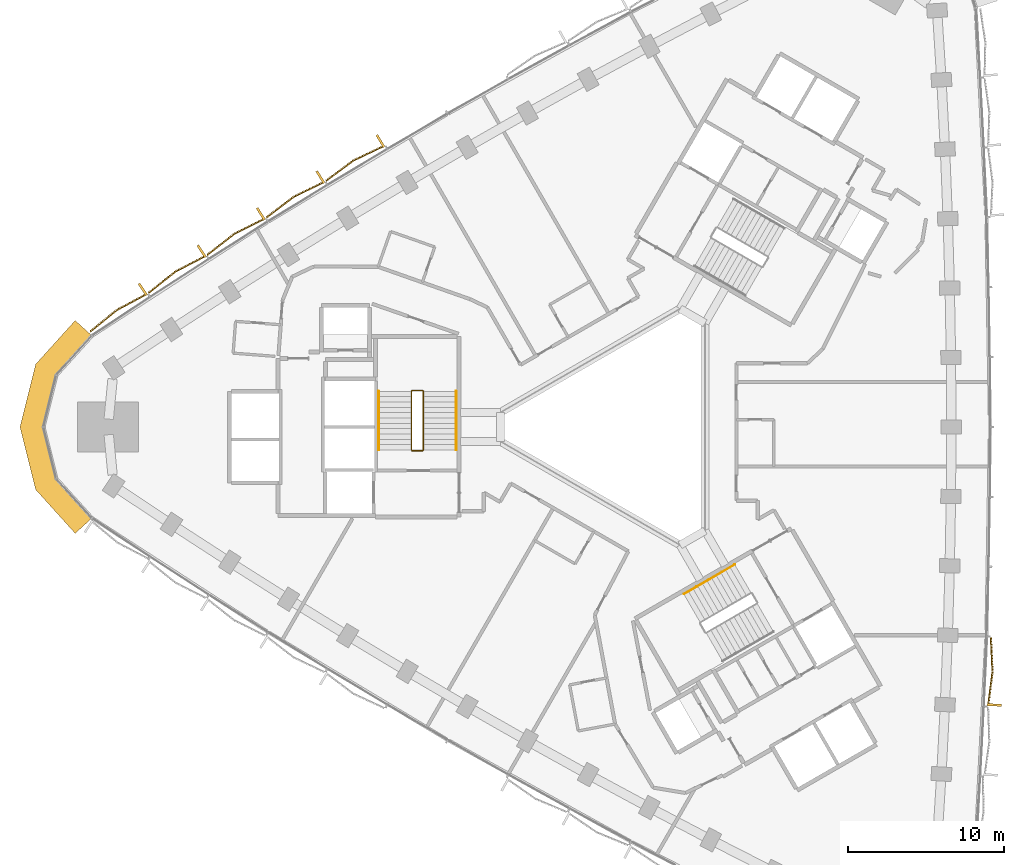
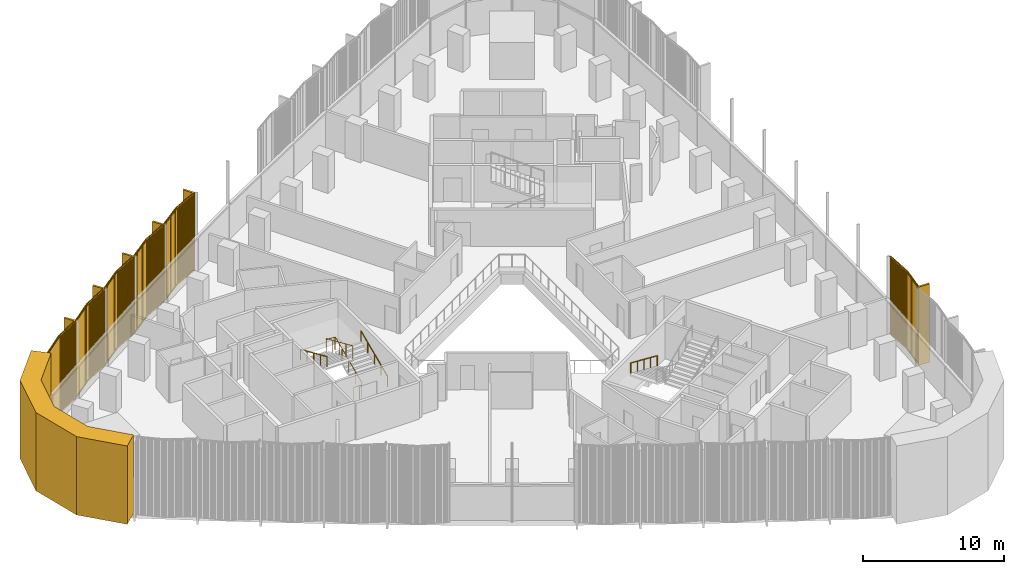
# One storey, part 13 of 15: 7 coverings, 4 railings.
"""IFC4 building model written with IfcOpenShell, lengths in metres."""

from ifc_helpers import new_model, si_unit, direction, frame, frame_2d, origin, origin_2d, place, context, subcontext, project, spatial, polyline, rectangle, circle, outline, extrude, source, transform, mapped, material, layer, layer_set, type_object, element, save


model = new_model("IFC4")

# Units and contexts
model_context = context("Model", 3, precision=1e-05, world=origin(), true_north=direction((0.0, 1.0)))
body_context = subcontext(model_context, "Body", "Model", "MODEL_VIEW")
ifc_project = project(units=[si_unit("LENGTHUNIT", "METRE"), si_unit("AREAUNIT", "SQUARE_METRE"), si_unit("VOLUMEUNIT", "CUBIC_METRE"), si_unit("PLANEANGLEUNIT", "RADIAN"), si_unit("MASSUNIT", "GRAM", prefix="KILO")], contexts=[model_context])

# Site, building, storey
site_placement = place(None, origin())
site = spatial("IfcSite", under=ifc_project, at=site_placement, CompositionType="ELEMENT")
building_placement = place(site_placement, origin())
building = spatial("IfcBuilding", under=site, at=building_placement, Name="Tamra Quay Hotel Tower", CompositionType="ELEMENT")
storey_placement = place(building_placement, frame((0.0, 0.0, 90.199951171875)))
storey = spatial("IfcBuildingStorey", under=building, at=storey_placement, Name="L21", CompositionType="ELEMENT", Elevation=90.199951171875)

# Covering
ifc_material_1 = material(Name="Precast concrete M60 terracotta-coloured", Category="masonry")
ifc_layer = layer(ifc_material_1, 1.449951171875)
ifc_layer_set = layer_set([ifc_layer], Name="CORNER PIER PANEL")
covering_type_1 = type_object("IfcCoveringType", Name="CORNER PIER PANEL", PredefinedType="CLADDING", material=ifc_layer_set)
covering_1_placement = place(storey_placement, origin())
element("IfcCovering", 1, at=covering_1_placement, inside=storey, type_object=covering_type_1, Name="Corner pier L21.north-west", PredefinedType="CLADDING", context=body_context, shape_type="SweptSolid", body=[
    extrude(outline(polyline([(-34.337890625, 5.839599609375), (-35.414306640625, 6.811279296875), (-37.942138671875, 4.01123046875), (-38.944091796875, 0.0), (-37.942138671875, -4.01123046875), (-35.414306640625, -6.811279296875), (-34.337890625, -5.839599609375), (-36.623046875, -3.308349609375), (-37.449462890625, 0.0), (-36.623046875, 3.308349609375), (-34.337890625, 5.839599609375)])), origin(), (0.0, 0.0, 1.0), 6.775146484375),
])

# Railings
ifc_material_2 = material(Name="Stair guard 1100")
railing_type_1 = type_object("IfcRailingType", Name="Stair guard 1100", PredefinedType="GUARDRAIL", material=ifc_material_2)
railing_1_placement = place(storey_placement, frame((-13.84130859375, -1.530029296875, 0.0)))
element("IfcRailing", 2, at=railing_1_placement, inside=storey, type_object=railing_type_1, Name="GR", PredefinedType="GUARDRAIL", context=body_context, shape_type="SweptSolid", body=[
    extrude(circle(Radius=0.02392578125, at=origin_2d()), frame((0.0, 0.0, 1.076171875), z_axis=(1.0, 0.0, 0.0), x_axis=(0.0, 1.0, 0.0)), (0.0, 0.0, 1.0), 0.658935546875),
    extrude(circle(Radius=0.02392578125, at=origin_2d()), frame((0.658935546875, 0.0, 1.076171875), z_axis=(0.301511344578, 0.301511344578, 0.904534033733), x_axis=(-0.707106781187, 0.707106781187, 0.0)), (0.0, 0.0, 1.0), 0.166015625),
    extrude(circle(Radius=0.02392578125, at=origin_2d()), frame((0.708984375, 0.050048828125, 1.22607421875), z_axis=(0.0, 0.915795495799, 0.401644880304), x_axis=(-1.0, 0.0, 0.0)), (0.0, 0.0, 1.0), 4.10791015625),
    extrude(circle(Radius=0.02392578125, at=origin_2d()), frame((0.708984375, 3.81201171875, 2.8759765625), z_axis=(-0.708833529934, 0.705375805398, 0.0), x_axis=(-0.705375805398, -0.708833529934, 0.0)), (0.0, 0.0, 1.0), 0.070556640625),
    extrude(circle(Radius=0.02392578125, at=origin_2d()), frame((0.658935546875, 3.86181640625, 2.8759765625), z_axis=(-1.0, 0.0, 0.0), x_axis=(0.0, -1.0, 0.0)), (0.0, 0.0, 1.0), 0.658935546875),
    extrude(circle(Radius=0.02392578125, at=origin_2d()), frame((0.0, 3.86181640625, 2.8759765625), z_axis=(-0.302046947789, -0.300573548044, 0.904667443621), x_axis=(0.705375805398, -0.708833529934, 0.0)), (0.0, 0.0, 1.0), 0.165771484375),
    extrude(circle(Radius=0.02392578125, at=origin_2d()), frame((-0.050048828125, 3.81201171875, 3.02587890625), z_axis=(0.0, -0.915773634228, 0.401694723457), x_axis=(1.0, 0.0, 0.0)), (0.0, 0.0, 1.0), 4.10791015625),
    extrude(circle(Radius=0.02099609375, at=origin_2d()), origin(), (0.0, 0.0, 1.0), 1.052001953125),
    extrude(circle(Radius=0.02099609375, at=origin_2d()), frame((0.658935546875, 0.0, 0.0)), (0.0, 0.0, 1.0), 1.052001953125),
    extrude(circle(Radius=0.02099609375, at=origin_2d()), frame((0.708984375, 0.050048828125, 0.150146484375)), (0.0, 0.0, 1.0), 1.052001953125),
    extrude(circle(Radius=0.02099609375, at=origin_2d()), frame((0.708984375, 0.990478515625, 0.5625)), (0.0, 0.0, 1.0), 1.052001953125),
    extrude(circle(Radius=0.02099609375, at=origin_2d()), frame((0.708984375, 1.93115234375, 0.97509765625)), (0.0, 0.0, 1.0), 1.052001953125),
    extrude(circle(Radius=0.02099609375, at=origin_2d()), frame((0.708984375, 2.87158203125, 1.3876953125)), (0.0, 0.0, 1.0), 1.052001953125),
    extrude(circle(Radius=0.02099609375, at=origin_2d()), frame((0.708984375, 3.81201171875, 1.800048828125)), (0.0, 0.0, 1.0), 1.052001953125),
    extrude(circle(Radius=0.02099609375, at=origin_2d()), frame((0.658935546875, 3.86181640625, 1.800048828125)), (0.0, 0.0, 1.0), 1.052001953125),
    extrude(circle(Radius=0.02099609375, at=origin_2d()), frame((0.0, 3.86181640625, 1.800048828125)), (0.0, 0.0, 1.0), 1.052001953125),
    extrude(circle(Radius=0.02099609375, at=origin_2d()), frame((-0.050048828125, 3.81201171875, 1.949951171875)), (0.0, 0.0, 1.0), 1.052001953125),
    extrude(circle(Radius=0.02099609375, at=origin_2d()), frame((-0.050048828125, 2.87158203125, 2.362548828125)), (0.0, 0.0, 1.0), 1.052001953125),
    extrude(circle(Radius=0.02099609375, at=origin_2d()), frame((-0.050048828125, 1.93115234375, 2.77490234375)), (0.0, 0.0, 1.0), 1.052001953125),
    extrude(circle(Radius=0.02099609375, at=origin_2d()), frame((-0.050048828125, 0.990478515625, 3.1875)), (0.0, 0.0, 1.0), 1.052001953125),
    extrude(circle(Radius=0.02099609375, at=origin_2d()), frame((-0.050048828125, 0.050048828125, 3.60009765625)), (0.0, 0.0, 1.0), 1.052001953125),
])
ifc_material_3 = material(Name="Stair handrail 900")
railing_type_2 = type_object("IfcRailingType", Name="Stair handrail 900", PredefinedType="HANDRAIL", material=ifc_material_3)
railing_2_placement = place(storey_placement, frame((-11.0322265625, -1.47998046875, 0.150146484375)))
element("IfcRailing", 3, at=railing_2_placement, inside=storey, type_object=railing_type_2, Name="HR", PredefinedType="HANDRAIL", context=body_context, shape_type="SweptSolid", body=[
    extrude(circle(Radius=0.02392578125, at=origin_2d()), frame((0.0, 0.0, 0.8759765625), z_axis=(0.0, 0.915795495799, 0.401644880304), x_axis=(-1.0, 0.0, 0.0)), (0.0, 0.0, 1.0), 4.10791015625),
    extrude(circle(Radius=0.02099609375, at=origin_2d()), origin(), (0.0, 0.0, 1.0), 0.851806640625),
    extrude(circle(Radius=0.02099609375, at=origin_2d()), frame((0.0, 0.9404296875, 0.41259765625)), (0.0, 0.0, 1.0), 0.851806640625),
    extrude(circle(Radius=0.02099609375, at=origin_2d()), frame((0.0, 1.880859375, 0.824951171875)), (0.0, 0.0, 1.0), 0.851806640625),
    extrude(circle(Radius=0.02099609375, at=origin_2d()), frame((0.0, 2.821533203125, 1.2373046875)), (0.0, 0.0, 1.0), 0.851806640625),
    extrude(circle(Radius=0.02099609375, at=origin_2d()), frame((0.0, 3.761962890625, 1.64990234375)), (0.0, 0.0, 1.0), 0.851806640625),
])
railing_3_placement = place(storey_placement, frame((-15.9912109375, 2.281982421875, 1.949951171875)))
element("IfcRailing", 4, at=railing_3_placement, inside=storey, type_object=railing_type_2, Name="HR", PredefinedType="HANDRAIL", context=body_context, shape_type="SweptSolid", body=[
    extrude(circle(Radius=0.02392578125, at=origin_2d()), frame((0.0, 0.0, 0.8759765625), z_axis=(0.0, -0.915773634228, 0.401694723457), x_axis=(1.0, 0.0, 0.0)), (0.0, 0.0, 1.0), 4.10791015625),
    extrude(circle(Radius=0.02099609375, at=origin_2d()), origin(), (0.0, 0.0, 1.0), 0.851806640625),
    extrude(circle(Radius=0.02099609375, at=origin_2d()), frame((0.0, -0.9404296875, 0.41259765625)), (0.0, 0.0, 1.0), 0.851806640625),
    extrude(circle(Radius=0.02099609375, at=origin_2d()), frame((0.0, -1.880859375, 0.8251953125)), (0.0, 0.0, 1.0), 0.851806640625),
    extrude(circle(Radius=0.02099609375, at=origin_2d()), frame((0.0, -2.821533203125, 1.237548828125)), (0.0, 0.0, 1.0), 0.851806640625),
    extrude(circle(Radius=0.02099609375, at=origin_2d()), frame((0.0, -3.761962890625, 1.650146484375)), (0.0, 0.0, 1.0), 0.851806640625),
])
railing_4_placement = place(storey_placement, frame((6.7978515625, -8.814208984375, 0.150146484375)))
element("IfcRailing", 5, at=railing_4_placement, inside=storey, type_object=railing_type_2, Name="HR", PredefinedType="HANDRAIL", context=body_context, shape_type="SweptSolid", body=[
    extrude(circle(Radius=0.02392578125, at=origin_2d()), frame((0.0, 0.0, 0.8759765625), z_axis=(-0.79310004713, -0.457886897714, 0.401661429744), x_axis=(0.499992114976, -0.866029956157, 0.0)), (0.0, 0.0, 1.0), 4.107666015625),
    extrude(circle(Radius=0.02099609375, at=origin_2d()), origin(), (0.0, 0.0, 1.0), 0.851806640625),
    extrude(circle(Radius=0.02099609375, at=origin_2d()), frame((-0.814453125, -0.47021484375, 0.41259765625)), (0.0, 0.0, 1.0), 0.851806640625),
    extrude(circle(Radius=0.02099609375, at=origin_2d()), frame((-1.62890625, -0.9404296875, 0.824951171875)), (0.0, 0.0, 1.0), 0.851806640625),
    extrude(circle(Radius=0.02099609375, at=origin_2d()), frame((-2.443359375, -1.41064453125, 1.2373046875)), (0.0, 0.0, 1.0), 0.851806640625),
    extrude(circle(Radius=0.02099609375, at=origin_2d()), frame((-3.2578125, -1.880859375, 1.64990234375)), (0.0, 0.0, 1.0), 0.851806640625),
])

# Coverings
ifc_material_4 = material(Name="Terracotta baguette extruded", Category="masonry")
covering_type_2 = type_object("IfcCoveringType", Name="BAGUETTE SCREEN E-V H6775", PredefinedType="USERDEFINED", material=ifc_material_4)
shared_shape_1 = source(origin(), body_context, "Body", "SweptSolid", [
    extrude(rectangle(XDim=2.200927734375, YDim=0.06005859375, at=frame_2d((1.1005859375, 0.030029296875))), frame((-2.19775390625, -0.057861328125, -0.1201171875), z_axis=(0.0, 0.0, 1.0), x_axis=(0.996194698092, -0.087155742748, 0.0)), (0.0, 0.0, 1.0), 0.1201171875),
    extrude(rectangle(XDim=2.200927734375, YDim=0.06005859375, at=frame_2d((1.1005859375, 0.030029296875))), frame((-2.19775390625, -0.057861328125, -6.77490234375), z_axis=(0.0, 0.0, 1.0), x_axis=(0.996194698092, -0.087155742748, 0.0)), (0.0, 0.0, 1.0), 0.1201171875),
    extrude(rectangle(XDim=0.070068359375, YDim=0.10009765625, at=frame_2d((0.03515625, 0.050048828125))), frame((-2.177734375, -0.13232421875, -6.715087890625)), (0.0, 0.0, 1.0), 6.655029296875),
    extrude(rectangle(XDim=0.070068359375, YDim=0.10009765625, at=frame_2d((0.03515625, 0.050048828125))), frame((-2.078125, -0.14111328125, -6.715087890625)), (0.0, 0.0, 1.0), 6.655029296875),
    extrude(rectangle(XDim=0.070068359375, YDim=0.10009765625, at=frame_2d((0.03515625, 0.050048828125))), frame((-1.978271484375, -0.14990234375, -6.715087890625)), (0.0, 0.0, 1.0), 6.655029296875),
    extrude(rectangle(XDim=0.070068359375, YDim=0.10009765625, at=frame_2d((0.03515625, 0.050048828125))), frame((-1.878662109375, -0.158447265625, -6.715087890625)), (0.0, 0.0, 1.0), 6.655029296875),
    extrude(rectangle(XDim=0.070068359375, YDim=0.10009765625, at=frame_2d((0.03515625, 0.050048828125))), frame((-1.779052734375, -0.167236328125, -6.715087890625)), (0.0, 0.0, 1.0), 6.655029296875),
    extrude(rectangle(XDim=0.070068359375, YDim=0.10009765625, at=frame_2d((0.03515625, 0.050048828125))), frame((-1.679443359375, -0.176025390625, -6.715087890625)), (0.0, 0.0, 1.0), 6.655029296875),
    extrude(rectangle(XDim=0.070068359375, YDim=0.10009765625, at=frame_2d((0.03515625, 0.050048828125))), frame((-1.579833984375, -0.1845703125, -6.715087890625)), (0.0, 0.0, 1.0), 6.655029296875),
    extrude(rectangle(XDim=0.070068359375, YDim=0.10009765625, at=frame_2d((0.03515625, 0.050048828125))), frame((-1.47998046875, -0.193359375, -6.715087890625)), (0.0, 0.0, 1.0), 6.655029296875),
    extrude(rectangle(XDim=0.070068359375, YDim=0.10009765625, at=frame_2d((0.03515625, 0.050048828125))), frame((-1.38037109375, -0.2021484375, -6.715087890625)), (0.0, 0.0, 1.0), 6.655029296875),
    extrude(rectangle(XDim=0.070068359375, YDim=0.10009765625, at=frame_2d((0.03515625, 0.050048828125))), frame((-1.28076171875, -0.2109375, -6.715087890625)), (0.0, 0.0, 1.0), 6.655029296875),
    extrude(rectangle(XDim=0.070068359375, YDim=0.10009765625, at=frame_2d((0.03515625, 0.050048828125))), frame((-1.18115234375, -0.219482421875, -6.715087890625)), (0.0, 0.0, 1.0), 6.655029296875),
    extrude(rectangle(XDim=0.070068359375, YDim=0.10009765625, at=frame_2d((0.03515625, 0.050048828125))), frame((-1.081298828125, -0.228271484375, -6.715087890625)), (0.0, 0.0, 1.0), 6.655029296875),
    extrude(rectangle(XDim=0.070068359375, YDim=0.10009765625, at=frame_2d((0.03515625, 0.050048828125))), frame((-0.981689453125, -0.237060546875, -6.715087890625)), (0.0, 0.0, 1.0), 6.655029296875),
    extrude(rectangle(XDim=0.070068359375, YDim=0.10009765625, at=frame_2d((0.03515625, 0.050048828125))), frame((-0.882080078125, -0.24560546875, -6.715087890625)), (0.0, 0.0, 1.0), 6.655029296875),
    extrude(rectangle(XDim=0.070068359375, YDim=0.10009765625, at=frame_2d((0.03515625, 0.050048828125))), frame((-0.782470703125, -0.25439453125, -6.715087890625)), (0.0, 0.0, 1.0), 6.655029296875),
    extrude(rectangle(XDim=0.070068359375, YDim=0.10009765625, at=frame_2d((0.03515625, 0.050048828125))), frame((-0.682861328125, -0.26318359375, -6.715087890625)), (0.0, 0.0, 1.0), 6.655029296875),
    extrude(rectangle(XDim=0.070068359375, YDim=0.10009765625, at=frame_2d((0.03515625, 0.050048828125))), frame((-0.583251953125, -0.27197265625, -6.715087890625)), (0.0, 0.0, 1.0), 6.655029296875),
    extrude(rectangle(XDim=0.070068359375, YDim=0.10009765625, at=frame_2d((0.03515625, 0.050048828125))), frame((-0.4833984375, -0.280517578125, -6.715087890625)), (0.0, 0.0, 1.0), 6.655029296875),
    extrude(rectangle(XDim=0.070068359375, YDim=0.10009765625, at=frame_2d((0.03515625, 0.050048828125))), frame((-0.3837890625, -0.289306640625, -6.715087890625)), (0.0, 0.0, 1.0), 6.655029296875),
    extrude(rectangle(XDim=0.070068359375, YDim=0.10009765625, at=frame_2d((0.03515625, 0.050048828125))), frame((-0.2841796875, -0.298095703125, -6.715087890625)), (0.0, 0.0, 1.0), 6.655029296875),
    extrude(rectangle(XDim=0.070068359375, YDim=0.10009765625, at=frame_2d((0.03515625, 0.050048828125))), frame((-0.1845703125, -0.306640625, -6.715087890625)), (0.0, 0.0, 1.0), 6.655029296875),
    extrude(rectangle(XDim=0.070068359375, YDim=0.10009765625, at=frame_2d((0.03515625, 0.050048828125))), frame((-0.084716796875, -0.3154296875, -6.715087890625)), (0.0, 0.0, 1.0), 6.655029296875),
    extrude(rectangle(XDim=2.200927734375, YDim=0.06005859375, at=frame_2d((1.1005859375, 0.030029296875))), frame((0.005126953125, -0.24951171875, -0.1201171875), z_axis=(0.0, 0.0, 1.0), x_axis=(0.996194698092, 0.087155742748, 0.0)), (0.0, 0.0, 1.0), 0.1201171875),
    extrude(rectangle(XDim=2.200927734375, YDim=0.06005859375, at=frame_2d((1.1005859375, 0.030029296875))), frame((0.005126953125, -0.24951171875, -6.77490234375), z_axis=(0.0, 0.0, 1.0), x_axis=(0.996194698092, 0.087155742748, 0.0)), (0.0, 0.0, 1.0), 0.1201171875),
    extrude(rectangle(XDim=0.070068359375, YDim=0.10009765625, at=frame_2d((0.03515625, 0.050048828125))), frame((0.014892578125, -0.3154296875, -6.715087890625)), (0.0, 0.0, 1.0), 6.655029296875),
    extrude(rectangle(XDim=0.070068359375, YDim=0.10009765625, at=frame_2d((0.03515625, 0.050048828125))), frame((0.114501953125, -0.306640625, -6.715087890625)), (0.0, 0.0, 1.0), 6.655029296875),
    extrude(rectangle(XDim=0.070068359375, YDim=0.10009765625, at=frame_2d((0.03515625, 0.050048828125))), frame((0.214111328125, -0.298095703125, -6.715087890625)), (0.0, 0.0, 1.0), 6.655029296875),
    extrude(rectangle(XDim=0.070068359375, YDim=0.10009765625, at=frame_2d((0.03515625, 0.050048828125))), frame((0.313720703125, -0.289306640625, -6.715087890625)), (0.0, 0.0, 1.0), 6.655029296875),
    extrude(rectangle(XDim=0.070068359375, YDim=0.10009765625, at=frame_2d((0.03515625, 0.050048828125))), frame((0.41357421875, -0.280517578125, -6.715087890625)), (0.0, 0.0, 1.0), 6.655029296875),
    extrude(rectangle(XDim=0.070068359375, YDim=0.10009765625, at=frame_2d((0.03515625, 0.050048828125))), frame((0.51318359375, -0.27197265625, -6.715087890625)), (0.0, 0.0, 1.0), 6.655029296875),
    extrude(rectangle(XDim=0.070068359375, YDim=0.10009765625, at=frame_2d((0.03515625, 0.050048828125))), frame((0.61279296875, -0.26318359375, -6.715087890625)), (0.0, 0.0, 1.0), 6.655029296875),
    extrude(rectangle(XDim=0.070068359375, YDim=0.10009765625, at=frame_2d((0.03515625, 0.050048828125))), frame((0.71240234375, -0.25439453125, -6.715087890625)), (0.0, 0.0, 1.0), 6.655029296875),
    extrude(rectangle(XDim=0.070068359375, YDim=0.10009765625, at=frame_2d((0.03515625, 0.050048828125))), frame((0.81201171875, -0.24560546875, -6.715087890625)), (0.0, 0.0, 1.0), 6.655029296875),
    extrude(rectangle(XDim=0.070068359375, YDim=0.10009765625, at=frame_2d((0.03515625, 0.050048828125))), frame((0.911865234375, -0.237060546875, -6.715087890625)), (0.0, 0.0, 1.0), 6.655029296875),
    extrude(rectangle(XDim=0.070068359375, YDim=0.10009765625, at=frame_2d((0.03515625, 0.050048828125))), frame((1.011474609375, -0.228271484375, -6.715087890625)), (0.0, 0.0, 1.0), 6.655029296875),
    extrude(rectangle(XDim=0.070068359375, YDim=0.10009765625, at=frame_2d((0.03515625, 0.050048828125))), frame((1.111083984375, -0.219482421875, -6.715087890625)), (0.0, 0.0, 1.0), 6.655029296875),
    extrude(rectangle(XDim=0.070068359375, YDim=0.10009765625, at=frame_2d((0.03515625, 0.050048828125))), frame((1.210693359375, -0.2109375, -6.715087890625)), (0.0, 0.0, 1.0), 6.655029296875),
    extrude(rectangle(XDim=0.070068359375, YDim=0.10009765625, at=frame_2d((0.03515625, 0.050048828125))), frame((1.310302734375, -0.2021484375, -6.715087890625)), (0.0, 0.0, 1.0), 6.655029296875),
    extrude(rectangle(XDim=0.070068359375, YDim=0.10009765625, at=frame_2d((0.03515625, 0.050048828125))), frame((1.41015625, -0.193359375, -6.715087890625)), (0.0, 0.0, 1.0), 6.655029296875),
    extrude(rectangle(XDim=0.070068359375, YDim=0.10009765625, at=frame_2d((0.03515625, 0.050048828125))), frame((1.509765625, -0.1845703125, -6.715087890625)), (0.0, 0.0, 1.0), 6.655029296875),
    extrude(rectangle(XDim=0.070068359375, YDim=0.10009765625, at=frame_2d((0.03515625, 0.050048828125))), frame((1.609375, -0.176025390625, -6.715087890625)), (0.0, 0.0, 1.0), 6.655029296875),
    extrude(rectangle(XDim=0.070068359375, YDim=0.10009765625, at=frame_2d((0.03515625, 0.050048828125))), frame((1.708984375, -0.167236328125, -6.715087890625)), (0.0, 0.0, 1.0), 6.655029296875),
    extrude(rectangle(XDim=0.070068359375, YDim=0.10009765625, at=frame_2d((0.03515625, 0.050048828125))), frame((1.80859375, -0.158447265625, -6.715087890625)), (0.0, 0.0, 1.0), 6.655029296875),
    extrude(rectangle(XDim=0.070068359375, YDim=0.10009765625, at=frame_2d((0.03515625, 0.050048828125))), frame((1.908447265625, -0.14990234375, -6.715087890625)), (0.0, 0.0, 1.0), 6.655029296875),
    extrude(rectangle(XDim=0.070068359375, YDim=0.10009765625, at=frame_2d((0.03515625, 0.050048828125))), frame((2.008056640625, -0.14111328125, -6.715087890625)), (0.0, 0.0, 1.0), 6.655029296875),
    extrude(rectangle(XDim=0.070068359375, YDim=0.10009765625, at=frame_2d((0.03515625, 0.050048828125))), frame((2.107666015625, -0.13232421875, -6.715087890625)), (0.0, 0.0, 1.0), 6.655029296875),
    extrude(rectangle(XDim=0.14990234375, YDim=0.902099609375, at=frame_2d((0.074951171875, 0.451171875))), frame((-2.1923828125, -0.89990234375, -6.77490234375)), (0.0, 0.0, 1.0), 6.77490234375),
])
covering_2_placement = place(storey_placement, frame((23.04345703125, -15.66064453125, 6.775146484375), z_axis=(0.0, 0.0, 1.0), x_axis=(0.039943885581, 0.99920192454, 0.0)))
element("IfcCovering", 6, at=covering_2_placement, inside=storey, type_object=covering_type_2, Name="Baguette screen L21.E.f02", ObjectType="BAGUETTE SCREEN", PredefinedType="USERDEFINED", context=body_context, shape_type="MappedRepresentation", body=[
    mapped(shared_shape_1, transform((0.0, 0.0, 0.0), scale=1.0)),
])
covering_type_3 = type_object("IfcCoveringType", Name="BAGUETTE SCREEN NW-V H6775", PredefinedType="USERDEFINED", material=ifc_material_4)
shared_shape_2 = source(origin(), body_context, "Body", "SweptSolid", [
    extrude(rectangle(XDim=2.20263671875, YDim=0.06005859375, at=frame_2d((1.101318359375, 0.030029296875))), frame((-2.1982421875, -0.0576171875, -0.1201171875), z_axis=(0.0, 0.0, 1.0), x_axis=(0.995396198367, -0.09584575252, 0.0)), (0.0, 0.0, 1.0), 0.1201171875),
    extrude(rectangle(XDim=2.20263671875, YDim=0.06005859375, at=frame_2d((1.101318359375, 0.030029296875))), frame((-2.1982421875, -0.0576171875, -6.77490234375), z_axis=(0.0, 0.0, 1.0), x_axis=(0.995396198367, -0.09584575252, 0.0)), (0.0, 0.0, 1.0), 0.1201171875),
    extrude(rectangle(XDim=0.070068359375, YDim=0.10009765625, at=frame_2d((0.03515625, 0.050048828125))), frame((-2.177734375, -0.1328125, -6.715087890625)), (0.0, 0.0, 1.0), 6.655029296875),
    extrude(rectangle(XDim=0.070068359375, YDim=0.10009765625, at=frame_2d((0.03515625, 0.050048828125))), frame((-2.078125, -0.142333984375, -6.715087890625)), (0.0, 0.0, 1.0), 6.655029296875),
    extrude(rectangle(XDim=0.070068359375, YDim=0.10009765625, at=frame_2d((0.03515625, 0.050048828125))), frame((-1.978271484375, -0.152099609375, -6.715087890625)), (0.0, 0.0, 1.0), 6.655029296875),
    extrude(rectangle(XDim=0.070068359375, YDim=0.10009765625, at=frame_2d((0.03515625, 0.050048828125))), frame((-1.878662109375, -0.16162109375, -6.715087890625)), (0.0, 0.0, 1.0), 6.655029296875),
    extrude(rectangle(XDim=0.070068359375, YDim=0.10009765625, at=frame_2d((0.03515625, 0.050048828125))), frame((-1.779052734375, -0.171142578125, -6.715087890625)), (0.0, 0.0, 1.0), 6.655029296875),
    extrude(rectangle(XDim=0.070068359375, YDim=0.10009765625, at=frame_2d((0.03515625, 0.050048828125))), frame((-1.679443359375, -0.1806640625, -6.715087890625)), (0.0, 0.0, 1.0), 6.655029296875),
    extrude(rectangle(XDim=0.070068359375, YDim=0.10009765625, at=frame_2d((0.03515625, 0.050048828125))), frame((-1.579833984375, -0.1904296875, -6.715087890625)), (0.0, 0.0, 1.0), 6.655029296875),
    extrude(rectangle(XDim=0.070068359375, YDim=0.10009765625, at=frame_2d((0.03515625, 0.050048828125))), frame((-1.47998046875, -0.199951171875, -6.715087890625)), (0.0, 0.0, 1.0), 6.655029296875),
    extrude(rectangle(XDim=0.070068359375, YDim=0.10009765625, at=frame_2d((0.03515625, 0.050048828125))), frame((-1.38037109375, -0.20947265625, -6.715087890625)), (0.0, 0.0, 1.0), 6.655029296875),
    extrude(rectangle(XDim=0.070068359375, YDim=0.10009765625, at=frame_2d((0.03515625, 0.050048828125))), frame((-1.28076171875, -0.21923828125, -6.715087890625)), (0.0, 0.0, 1.0), 6.655029296875),
    extrude(rectangle(XDim=0.070068359375, YDim=0.10009765625, at=frame_2d((0.03515625, 0.050048828125))), frame((-1.18115234375, -0.228759765625, -6.715087890625)), (0.0, 0.0, 1.0), 6.655029296875),
    extrude(rectangle(XDim=0.070068359375, YDim=0.10009765625, at=frame_2d((0.03515625, 0.050048828125))), frame((-1.081298828125, -0.23828125, -6.715087890625)), (0.0, 0.0, 1.0), 6.655029296875),
    extrude(rectangle(XDim=0.070068359375, YDim=0.10009765625, at=frame_2d((0.03515625, 0.050048828125))), frame((-0.981689453125, -0.248046875, -6.715087890625)), (0.0, 0.0, 1.0), 6.655029296875),
    extrude(rectangle(XDim=0.070068359375, YDim=0.10009765625, at=frame_2d((0.03515625, 0.050048828125))), frame((-0.882080078125, -0.257568359375, -6.715087890625)), (0.0, 0.0, 1.0), 6.655029296875),
    extrude(rectangle(XDim=0.070068359375, YDim=0.10009765625, at=frame_2d((0.03515625, 0.050048828125))), frame((-0.782470703125, -0.26708984375, -6.715087890625)), (0.0, 0.0, 1.0), 6.655029296875),
    extrude(rectangle(XDim=0.070068359375, YDim=0.10009765625, at=frame_2d((0.03515625, 0.050048828125))), frame((-0.682861328125, -0.27685546875, -6.715087890625)), (0.0, 0.0, 1.0), 6.655029296875),
    extrude(rectangle(XDim=0.070068359375, YDim=0.10009765625, at=frame_2d((0.03515625, 0.050048828125))), frame((-0.583251953125, -0.286376953125, -6.715087890625)), (0.0, 0.0, 1.0), 6.655029296875),
    extrude(rectangle(XDim=0.070068359375, YDim=0.10009765625, at=frame_2d((0.03515625, 0.050048828125))), frame((-0.4833984375, -0.2958984375, -6.715087890625)), (0.0, 0.0, 1.0), 6.655029296875),
    extrude(rectangle(XDim=0.070068359375, YDim=0.10009765625, at=frame_2d((0.03515625, 0.050048828125))), frame((-0.3837890625, -0.305419921875, -6.715087890625)), (0.0, 0.0, 1.0), 6.655029296875),
    extrude(rectangle(XDim=0.070068359375, YDim=0.10009765625, at=frame_2d((0.03515625, 0.050048828125))), frame((-0.2841796875, -0.315185546875, -6.715087890625)), (0.0, 0.0, 1.0), 6.655029296875),
    extrude(rectangle(XDim=0.070068359375, YDim=0.10009765625, at=frame_2d((0.03515625, 0.050048828125))), frame((-0.1845703125, -0.32470703125, -6.715087890625)), (0.0, 0.0, 1.0), 6.655029296875),
    extrude(rectangle(XDim=0.070068359375, YDim=0.10009765625, at=frame_2d((0.03515625, 0.050048828125))), frame((-0.084716796875, -0.334228515625, -6.715087890625)), (0.0, 0.0, 1.0), 6.655029296875),
    extrude(rectangle(XDim=2.20263671875, YDim=0.06005859375, at=frame_2d((1.101318359375, 0.030029296875))), frame((0.005859375, -0.268798828125, -0.1201171875), z_axis=(0.0, 0.0, 1.0), x_axis=(0.995396198367, 0.09584575252, 0.0)), (0.0, 0.0, 1.0), 0.1201171875),
    extrude(rectangle(XDim=2.20263671875, YDim=0.06005859375, at=frame_2d((1.101318359375, 0.030029296875))), frame((0.005859375, -0.268798828125, -6.77490234375), z_axis=(0.0, 0.0, 1.0), x_axis=(0.995396198367, 0.09584575252, 0.0)), (0.0, 0.0, 1.0), 0.1201171875),
    extrude(rectangle(XDim=0.070068359375, YDim=0.10009765625, at=frame_2d((0.03515625, 0.050048828125))), frame((0.014892578125, -0.334228515625, -6.715087890625)), (0.0, 0.0, 1.0), 6.655029296875),
    extrude(rectangle(XDim=0.070068359375, YDim=0.10009765625, at=frame_2d((0.03515625, 0.050048828125))), frame((0.114501953125, -0.32470703125, -6.715087890625)), (0.0, 0.0, 1.0), 6.655029296875),
    extrude(rectangle(XDim=0.070068359375, YDim=0.10009765625, at=frame_2d((0.03515625, 0.050048828125))), frame((0.214111328125, -0.315185546875, -6.715087890625)), (0.0, 0.0, 1.0), 6.655029296875),
    extrude(rectangle(XDim=0.070068359375, YDim=0.10009765625, at=frame_2d((0.03515625, 0.050048828125))), frame((0.313720703125, -0.305419921875, -6.715087890625)), (0.0, 0.0, 1.0), 6.655029296875),
    extrude(rectangle(XDim=0.070068359375, YDim=0.10009765625, at=frame_2d((0.03515625, 0.050048828125))), frame((0.41357421875, -0.2958984375, -6.715087890625)), (0.0, 0.0, 1.0), 6.655029296875),
    extrude(rectangle(XDim=0.070068359375, YDim=0.10009765625, at=frame_2d((0.03515625, 0.050048828125))), frame((0.51318359375, -0.286376953125, -6.715087890625)), (0.0, 0.0, 1.0), 6.655029296875),
    extrude(rectangle(XDim=0.070068359375, YDim=0.10009765625, at=frame_2d((0.03515625, 0.050048828125))), frame((0.61279296875, -0.27685546875, -6.715087890625)), (0.0, 0.0, 1.0), 6.655029296875),
    extrude(rectangle(XDim=0.070068359375, YDim=0.10009765625, at=frame_2d((0.03515625, 0.050048828125))), frame((0.71240234375, -0.26708984375, -6.715087890625)), (0.0, 0.0, 1.0), 6.655029296875),
    extrude(rectangle(XDim=0.070068359375, YDim=0.10009765625, at=frame_2d((0.03515625, 0.050048828125))), frame((0.81201171875, -0.257568359375, -6.715087890625)), (0.0, 0.0, 1.0), 6.655029296875),
    extrude(rectangle(XDim=0.070068359375, YDim=0.10009765625, at=frame_2d((0.03515625, 0.050048828125))), frame((0.911865234375, -0.248046875, -6.715087890625)), (0.0, 0.0, 1.0), 6.655029296875),
    extrude(rectangle(XDim=0.070068359375, YDim=0.10009765625, at=frame_2d((0.03515625, 0.050048828125))), frame((1.011474609375, -0.23828125, -6.715087890625)), (0.0, 0.0, 1.0), 6.655029296875),
    extrude(rectangle(XDim=0.070068359375, YDim=0.10009765625, at=frame_2d((0.03515625, 0.050048828125))), frame((1.111083984375, -0.228759765625, -6.715087890625)), (0.0, 0.0, 1.0), 6.655029296875),
    extrude(rectangle(XDim=0.070068359375, YDim=0.10009765625, at=frame_2d((0.03515625, 0.050048828125))), frame((1.210693359375, -0.21923828125, -6.715087890625)), (0.0, 0.0, 1.0), 6.655029296875),
    extrude(rectangle(XDim=0.070068359375, YDim=0.10009765625, at=frame_2d((0.03515625, 0.050048828125))), frame((1.310302734375, -0.20947265625, -6.715087890625)), (0.0, 0.0, 1.0), 6.655029296875),
    extrude(rectangle(XDim=0.070068359375, YDim=0.10009765625, at=frame_2d((0.03515625, 0.050048828125))), frame((1.41015625, -0.199951171875, -6.715087890625)), (0.0, 0.0, 1.0), 6.655029296875),
    extrude(rectangle(XDim=0.070068359375, YDim=0.10009765625, at=frame_2d((0.03515625, 0.050048828125))), frame((1.509765625, -0.1904296875, -6.715087890625)), (0.0, 0.0, 1.0), 6.655029296875),
    extrude(rectangle(XDim=0.070068359375, YDim=0.10009765625, at=frame_2d((0.03515625, 0.050048828125))), frame((1.609375, -0.1806640625, -6.715087890625)), (0.0, 0.0, 1.0), 6.655029296875),
    extrude(rectangle(XDim=0.070068359375, YDim=0.10009765625, at=frame_2d((0.03515625, 0.050048828125))), frame((1.708984375, -0.171142578125, -6.715087890625)), (0.0, 0.0, 1.0), 6.655029296875),
    extrude(rectangle(XDim=0.070068359375, YDim=0.10009765625, at=frame_2d((0.03515625, 0.050048828125))), frame((1.80859375, -0.16162109375, -6.715087890625)), (0.0, 0.0, 1.0), 6.655029296875),
    extrude(rectangle(XDim=0.070068359375, YDim=0.10009765625, at=frame_2d((0.03515625, 0.050048828125))), frame((1.908447265625, -0.152099609375, -6.715087890625)), (0.0, 0.0, 1.0), 6.655029296875),
    extrude(rectangle(XDim=0.070068359375, YDim=0.10009765625, at=frame_2d((0.03515625, 0.050048828125))), frame((2.008056640625, -0.142333984375, -6.715087890625)), (0.0, 0.0, 1.0), 6.655029296875),
    extrude(rectangle(XDim=0.070068359375, YDim=0.10009765625, at=frame_2d((0.03515625, 0.050048828125))), frame((2.107666015625, -0.1328125, -6.715087890625)), (0.0, 0.0, 1.0), 6.655029296875),
    extrude(rectangle(XDim=0.14990234375, YDim=0.902099609375, at=frame_2d((0.074951171875, 0.451171875))), frame((-2.1923828125, -0.89990234375, -6.77490234375)), (0.0, 0.0, 1.0), 6.77490234375),
])
for number, where, z_axis, x_axis, name in (
    (7, (-17.463134765625, 16.82080078125, 6.775146484375), (0.0, 0.0, 1.0), (-0.857331299736, -0.5147650362, 0.0), "Baguette screen L21.NW.f07"),
    (8, (-21.287109375, 14.4951171875, 6.775146484375), (0.0, 0.0, 1.0), (-0.851399310906, -0.524518077276, 0.0), "Baguette screen L21.NW.f08"),
    (9, (-25.084228515625, 12.125732421875, 6.775146484375), (0.0, 0.0, 1.0), (-0.845362307372, -0.534193381909, 0.0), "Baguette screen L21.NW.f09"),
    (10, (-28.854248046875, 9.71337890625, 6.775146484375), (0.0, 0.0, 1.0), (-0.839223806914, -0.543786172966, 0.0), "Baguette screen L21.NW.f10"),
    (11, (-32.595947265625, 7.258544921875, 6.775146484375), (0.0, 0.0, 1.0), (-0.832988106715, -0.553290894622, 0.0), "Baguette screen L21.NW.f11"),
):
    element("IfcCovering", number, at=place(storey_placement, frame(where, z_axis=z_axis, x_axis=x_axis)), inside=storey, type_object=covering_type_3, Name=name, ObjectType="BAGUETTE SCREEN", PredefinedType="USERDEFINED", context=body_context, shape_type="MappedRepresentation", body=[
        mapped(shared_shape_2, transform((0.0, 0.0, 0.0), scale=1.0)),
    ])

save(model, "model.ifc")
